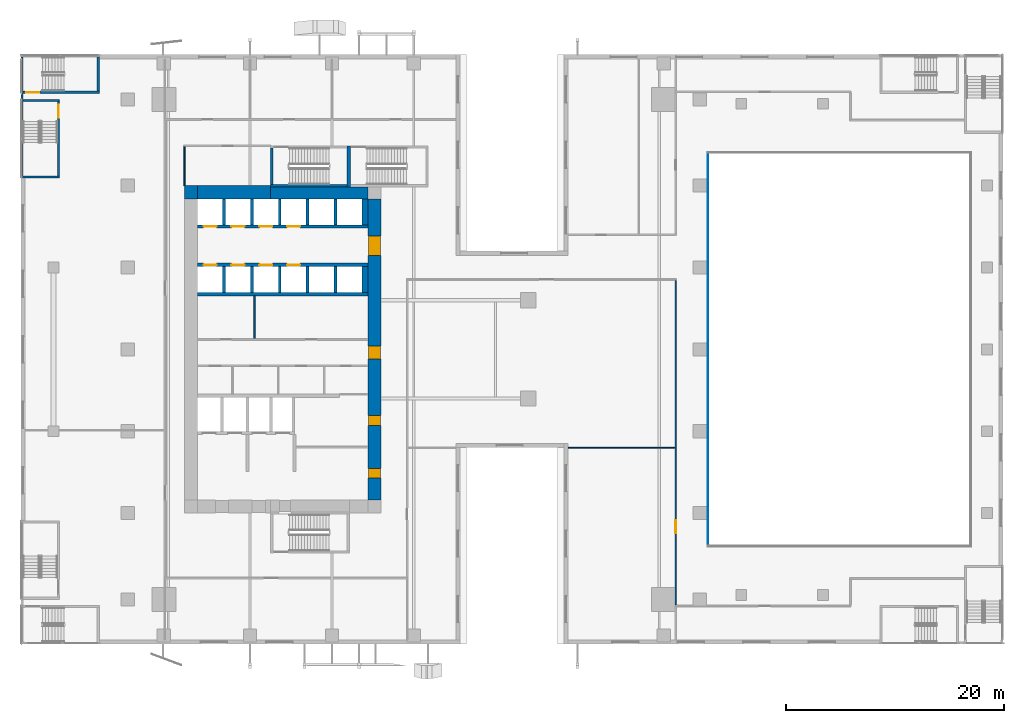
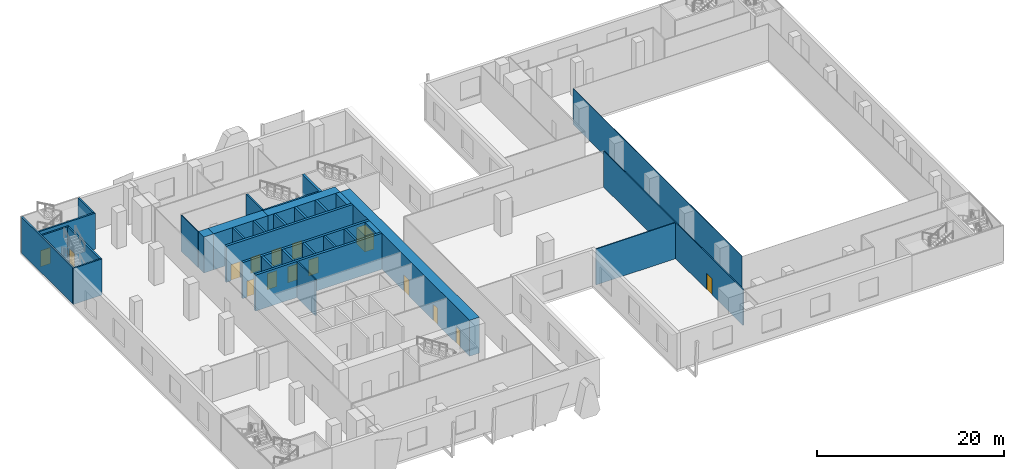
# One storey, part 12 of 22: 33 walls, 15 doors, 15 openings.
"""IFC4 building model written with IfcOpenShell, lengths in metres."""

from ifc_helpers import new_model, si_unit, direction, frame, frame_2d, origin, place, context, subcontext, project, spatial, rectangle, extrude, source, transform, mapped, material, layer, layer_set, type_object, element, fill, save


model = new_model("IFC4")

# Units and contexts
model_context = context("Model", 3, precision=1e-05, world=origin(), true_north=direction((0.0, 1.0)))
body_context = subcontext(model_context, "Body", "Model", "MODEL_VIEW")
ifc_project = project(units=[si_unit("LENGTHUNIT", "METRE"), si_unit("AREAUNIT", "SQUARE_METRE"), si_unit("VOLUMEUNIT", "CUBIC_METRE"), si_unit("PLANEANGLEUNIT", "RADIAN"), si_unit("MASSUNIT", "GRAM", prefix="KILO")], contexts=[model_context])

# Site, building, storey
site_placement = place(None, origin())
site = spatial("IfcSite", under=ifc_project, at=site_placement, CompositionType="ELEMENT")
building_placement = place(site_placement, origin())
building = spatial("IfcBuilding", under=site, at=building_placement, Name="Khomas Fold Tower", CompositionType="ELEMENT")
storey_placement = place(building_placement, frame((0.0, 0.0, 23.5)))
storey = spatial("IfcBuildingStorey", under=building, at=storey_placement, Name="L04", CompositionType="ELEMENT", Elevation=23.5)

# Walls
ifc_material_1 = material(Name="Concrete C70/85", Category="concrete")
ifc_layer_1 = layer(ifc_material_1, 1.199951171875)
ifc_layer_set_1 = layer_set([ifc_layer_1], Name="Concrete C70/85")
wall_type_1 = type_object("IfcWallType", Name="Core wall 1200", PredefinedType="SHEAR", material=ifc_layer_set_1)
shared_shape_1 = source(origin(), body_context, "Body", "SweptSolid", [
    extrude(rectangle(XDim=6.699951171875, YDim=1.199951171875, at=frame_2d((3.35009765625, 0.0))), origin(), (0.0, 0.0, 1.0), 4.699951171875),
])
wall_1_placement = place(storey_placement, frame((7.199951171875, 41.39990234375, 0.0), z_axis=(0.0, 0.0, 1.0), x_axis=(1.0, 0.0, 0.0)))
element("IfcWall", 1, at=wall_1_placement, inside=storey, type_object=wall_type_1, Name="Core wall CW-L-N-B2", PredefinedType="SHEAR", context=body_context, shape_type="MappedRepresentation", body=[
    mapped(shared_shape_1, transform((0.0, 0.0, 0.0))),
])
ifc_material_2 = material(Name="Concrete C70/85", Category="concrete")
ifc_layer_2 = layer(ifc_material_2, 1.10009765625)
ifc_layer_set_2 = layer_set([ifc_layer_2], Name="Concrete C70/85")
wall_type_2 = type_object("IfcWallType", Name="Core wall 1100", PredefinedType="SHEAR", material=ifc_layer_set_2)
shared_shape_2 = source(origin(), body_context, "Body", "SweptSolid", [
    extrude(rectangle(XDim=8.900146484375, YDim=1.10009765625, at=frame_2d((4.4501953125, 0.0))), origin(), (0.0, 0.0, 1.0), 4.699951171875),
])
wall_2_placement = place(storey_placement, frame((13.89990234375, 41.35009765625, 0.0), z_axis=(0.0, 0.0, 1.0), x_axis=(1.0, 0.0, 0.0)))
element("IfcWall", 2, at=wall_2_placement, inside=storey, type_object=wall_type_2, Name="Core wall CW-L-N-B2-1", PredefinedType="SHEAR", context=body_context, shape_type="MappedRepresentation", body=[
    mapped(shared_shape_2, transform((0.0, 0.0, 0.0))),
])
ifc_material_3 = material(Name="Concrete C70/85", Category="concrete")
ifc_layer_3 = layer(ifc_material_3, 1.199951171875)
ifc_layer_set_3 = layer_set([ifc_layer_3], Name="Concrete C70/85")
wall_type_3 = type_object("IfcWallType", Name="Core corner wall 1200", PredefinedType="SHEAR", material=ifc_layer_set_3)
shared_shape_3 = source(origin(), body_context, "Body", "SweptSolid", [
    extrude(rectangle(XDim=1.199951171875, YDim=1.199951171875, at=frame_2d((0.60009765625, 0.0))), origin(), (0.0, 0.0, 1.0), 4.699951171875),
])
wall_3_placement = place(storey_placement, frame((6.0, 41.39990234375, 0.0), z_axis=(0.0, 0.0, 1.0), x_axis=(1.0, 0.0, 0.0)))
element("IfcWall", 3, at=wall_3_placement, inside=storey, type_object=wall_type_3, Name="Core wall CW-L-NW-B2", PredefinedType="SHEAR", context=body_context, shape_type="MappedRepresentation", body=[
    mapped(shared_shape_3, transform((0.0, 0.0, 0.0))),
])

# Wall, openings, doors
shared_shape_4 = source(origin(), body_context, "Body", "SweptSolid", [
    extrude(rectangle(XDim=27.60009765625, YDim=1.199951171875, at=frame_2d((13.800048828125, 0.0))), origin(), (0.0, 0.0, 1.0), 4.699951171875),
])
wall_4_placement = place(storey_placement, frame((23.39990234375, 13.199951171875, 0.0), z_axis=(0.0, 0.0, 1.0), x_axis=(0.0, 1.0, 0.0)))
wall_4 = element("IfcWall", 4, at=wall_4_placement, inside=storey, type_object=wall_type_1, Name="Core wall CW-L-E-B2", PredefinedType="SHEAR", context=body_context, shape_type="MappedRepresentation", body=[
    mapped(shared_shape_4, transform((0.0, 0.0, 0.0))),
])
shared_shape_5 = source(origin(), body_context, "Body", "SweptSolid", [
    extrude(rectangle(XDim=1.800048828125, YDim=2.10009765625, at=frame_2d((0.89990234375, 1.050048828125))), frame((0.0, 0.60986328125, 0.0), z_axis=(0.0, -1.0, 0.0), x_axis=(1.0, 0.0, 0.0)), (0.0, 0.0, 1.0), 1.219970703125),
])
opening_1_placement = place(wall_4_placement, frame((22.39990234375, 0.0, 0.0)))
opening_1 = element("IfcOpeningElement", 5, at=opening_1_placement, cuts=wall_4, Name="Opening 0015", PredefinedType="OPENING", context=body_context, shape_type="MappedRepresentation", body=[
    mapped(shared_shape_5, transform((0.0, 0.0, 0.0))),
])
shared_shape_6 = source(origin(), body_context, "Body", "SweptSolid", [
    extrude(rectangle(XDim=1.199951171875, YDim=2.10009765625, at=frame_2d((0.60009765625, 1.050048828125))), frame((0.0, 0.60986328125, 0.0), z_axis=(0.0, -1.0, 0.0), x_axis=(1.0, 0.0, 0.0)), (0.0, 0.0, 1.0), 1.219970703125),
])
opening_2_placement = place(wall_4_placement, frame((12.89990234375, 0.0, 0.0)))
opening_2 = element("IfcOpeningElement", 6, at=opening_2_placement, cuts=wall_4, Name="Opening 0001", PredefinedType="OPENING", context=body_context, shape_type="MappedRepresentation", body=[
    mapped(shared_shape_6, transform((0.0, 0.0, 0.0))),
])
shared_shape_7 = source(origin(), body_context, "Body", "SweptSolid", [
    extrude(rectangle(XDim=0.89990234375, YDim=2.10009765625, at=frame_2d((0.449951171875, 1.050048828125))), frame((0.0, 0.60986328125, 0.0), z_axis=(0.0, -1.0, 0.0), x_axis=(1.0, 0.0, 0.0)), (0.0, 0.0, 1.0), 1.219970703125),
])
opening_3_placement = place(wall_4_placement, frame((2.0, 0.0, 0.0)))
opening_3 = element("IfcOpeningElement", 7, at=opening_3_placement, cuts=wall_4, Name="Opening 0003", PredefinedType="OPENING", context=body_context, shape_type="MappedRepresentation", body=[
    mapped(shared_shape_7, transform((0.0, 0.0, 0.0))),
])
opening_4_placement = place(wall_4_placement, frame((6.85009765625, 0.0, 0.0)))
opening_4 = element("IfcOpeningElement", 8, at=opening_4_placement, cuts=wall_4, Name="Opening 0008", PredefinedType="OPENING", context=body_context, shape_type="MappedRepresentation", body=[
    mapped(shared_shape_7, transform((0.0, 0.0, 0.0))),
])
ifc_material_4 = material(Name="Timber door leaf", Category="wood")
door_type_1 = type_object("IfcDoorType", Name="Door 1200x2100 right-hand", OperationType="SINGLE_SWING_RIGHT", PredefinedType="DOOR", material=ifc_material_4)
shared_shape_8 = source(origin(), body_context, "Body", "SweptSolid", [
    extrude(rectangle(XDim=1.199951171875, YDim=2.10009765625, at=frame_2d((0.60009765625, 1.050048828125))), frame((0.0, 0.5498046875, 0.0), z_axis=(0.0, -1.0, 0.0), x_axis=(1.0, 0.0, 0.0)), (0.0, 0.0, 1.0), 1.099853515625),
])
door_1_placement = place(opening_2_placement, origin())
door_1 = element("IfcDoor", 9, at=door_1_placement, inside=storey, type_object=door_type_1, Name="Door", OperationType="SINGLE_SWING_RIGHT", OverallHeight=2.10009765625, OverallWidth=1.199951171875, PredefinedType="DOOR", context=body_context, shape_type="MappedRepresentation", body=[
    mapped(shared_shape_8, transform((0.0, 0.0, 0.0))),
])
fill(opening_2, door_1)
ifc_material_5 = material(Name="Steel door leaf", Category="steel")
door_type_2 = type_object("IfcDoorType", Name="Plant room door 900x2100 right-hand", OperationType="SINGLE_SWING_RIGHT", PredefinedType="DOOR", material=ifc_material_5)
shared_shape_9 = source(origin(), body_context, "Body", "SweptSolid", [
    extrude(rectangle(XDim=0.89990234375, YDim=2.10009765625, at=frame_2d((0.449951171875, 1.050048828125))), frame((0.0, 0.5498046875, 0.0), z_axis=(0.0, -1.0, 0.0), x_axis=(1.0, 0.0, 0.0)), (0.0, 0.0, 1.0), 1.099853515625),
])
door_2_placement = place(opening_3_placement, origin())
door_2 = element("IfcDoor", 10, at=door_2_placement, inside=storey, type_object=door_type_2, Name="Plant room door", OperationType="SINGLE_SWING_RIGHT", OverallHeight=2.10009765625, OverallWidth=0.89990234375, PredefinedType="DOOR", context=body_context, shape_type="MappedRepresentation", body=[
    mapped(shared_shape_9, transform((0.0, 0.0, 0.0))),
])
fill(opening_3, door_2)
ifc_material_6 = material(Name="Timber door leaf", Category="wood")
door_type_3 = type_object("IfcDoorType", Name="Door 900x2100 right-hand", OperationType="SINGLE_SWING_RIGHT", PredefinedType="DOOR", material=ifc_material_6)
door_3_placement = place(opening_4_placement, origin())
door_3 = element("IfcDoor", 11, at=door_3_placement, inside=storey, type_object=door_type_3, Name="Door", OperationType="SINGLE_SWING_RIGHT", OverallHeight=2.10009765625, OverallWidth=0.89990234375, PredefinedType="DOOR", context=body_context, shape_type="MappedRepresentation", body=[
    mapped(shared_shape_9, transform((0.0, 0.0, 0.0))),
])
fill(opening_4, door_3)
ifc_material_7 = material(Name="Steel door leaf", Category="steel")
door_type_4 = type_object("IfcDoorType", Name="Lobby door 1800x2100", OperationType="DOUBLE_DOOR_SINGLE_SWING", PredefinedType="DOOR", material=ifc_material_7)
shared_shape_10 = source(origin(), body_context, "Body", "SweptSolid", [
    extrude(rectangle(XDim=1.800048828125, YDim=2.10009765625, at=frame_2d((0.89990234375, 1.050048828125))), frame((0.0, 0.5498046875, 0.0), z_axis=(0.0, -1.0, 0.0), x_axis=(1.0, 0.0, 0.0)), (0.0, 0.0, 1.0), 1.099853515625),
])
door_4_placement = place(opening_1_placement, origin())
door_4 = element("IfcDoor", 12, at=door_4_placement, inside=storey, type_object=door_type_4, Name="Lobby door", OperationType="DOUBLE_DOOR_SINGLE_SWING", OverallHeight=2.10009765625, OverallWidth=1.800048828125, PredefinedType="DOOR", context=body_context, shape_type="MappedRepresentation", body=[
    mapped(shared_shape_10, transform((0.0, 0.0, 0.0))),
])
fill(opening_1, door_4)

# Wall
ifc_material_8 = material(Name="Concrete C50/60", Category="concrete")
ifc_layer_4 = layer(ifc_material_8, 0.199951171875)
ifc_layer_set_4 = layer_set([ifc_layer_4], Name="Concrete C50/60")
wall_type_4 = type_object("IfcWallType", Name="Stair wall 200", PredefinedType="SHEAR", material=ifc_layer_set_4)
shared_shape_11 = source(origin(), body_context, "Body", "SweptSolid", [
    extrude(rectangle(XDim=7.0, YDim=0.199951171875, at=frame_2d((3.5, 0.0))), origin(), (0.0, 0.0, 1.0), 4.699951171875),
])
wall_5_placement = place(storey_placement, frame((13.89990234375, 42.0, 0.0), z_axis=(0.0, 0.0, 1.0), x_axis=(1.0, 0.0, 0.0)))
element("IfcWall", 13, at=wall_5_placement, inside=storey, type_object=wall_type_4, Name="Stair wall SW-ST1-S", PredefinedType="SHEAR", context=body_context, shape_type="MappedRepresentation", body=[
    mapped(shared_shape_11, transform((0.0, 0.0, 0.0))),
])

# Wall, opening, door
ifc_material_9 = material(Name="Concrete C30/37", Category="concrete")
ifc_layer_5 = layer(ifc_material_9, 0.199951171875)
ifc_layer_set_5 = layer_set([ifc_layer_5], Name="Concrete C30/37")
wall_type_5 = type_object("IfcWallType", Name="Stair wall PW5 200", PredefinedType="PARTITIONING", material=ifc_layer_set_5)
wall_6_placement = place(storey_placement, frame((-8.800048828125, 50.550048828125, 0.0), z_axis=(0.0, 0.0, 1.0), x_axis=(1.0, 0.0, 0.0)))
wall_6 = element("IfcWall", 14, at=wall_6_placement, inside=storey, type_object=wall_type_5, Name="Stair wall", PredefinedType="PARTITIONING", context=body_context, shape_type="MappedRepresentation", body=[
    mapped(shared_shape_11, transform((0.0, 0.0, 0.0))),
])
shared_shape_12 = source(origin(), body_context, "Body", "SweptSolid", [
    extrude(rectangle(XDim=1.199951171875, YDim=2.10009765625, at=frame_2d((0.60009765625, 1.050048828125))), frame((0.0, 0.10986328125, 0.0), z_axis=(0.0, -1.0, 0.0), x_axis=(1.0, 0.0, 0.0)), (0.0, 0.0, 1.0), 0.219970703125),
])
opening_5_placement = place(wall_6_placement, frame((0.300048828125, 0.0, 0.0)))
opening_5 = element("IfcOpeningElement", 15, at=opening_5_placement, cuts=wall_6, Name="Opening 0018", PredefinedType="OPENING", context=body_context, shape_type="MappedRepresentation", body=[
    mapped(shared_shape_12, transform((0.0, 0.0, 0.0))),
])
ifc_material_10 = material(Name="Steel door leaf", Category="steel")
door_type_5 = type_object("IfcDoorType", Name="Stair door 1200x2100 right-hand", OperationType="SINGLE_SWING_RIGHT", PredefinedType="DOOR", material=ifc_material_10)
shared_shape_13 = source(origin(), body_context, "Body", "SweptSolid", [
    extrude(rectangle(XDim=1.199951171875, YDim=2.10009765625, at=frame_2d((0.60009765625, 1.050048828125))), frame((0.0, 0.02490234375, 0.0), z_axis=(0.0, -1.0, 0.0), x_axis=(1.0, 0.0, 0.0)), (0.0, 0.0, 1.0), 0.050048828125),
])
door_5_placement = place(opening_5_placement, origin())
door_5 = element("IfcDoor", 16, at=door_5_placement, inside=storey, type_object=door_type_5, Name="Stair door", OperationType="SINGLE_SWING_RIGHT", OverallHeight=2.10009765625, OverallWidth=1.199951171875, PredefinedType="DOOR", context=body_context, shape_type="MappedRepresentation", body=[
    mapped(shared_shape_13, transform((0.0, 0.0, 0.0))),
])
fill(opening_5, door_5)

# Walls
ifc_material_11 = material(Name="Concrete C50/60", Category="concrete")
ifc_layer_6 = layer(ifc_material_11, 0.300048828125)
ifc_layer_set_6 = layer_set([ifc_layer_6], Name="Concrete C50/60")
wall_type_6 = type_object("IfcWallType", Name="Stair wall 300", PredefinedType="SHEAR", material=ifc_layer_set_6)
shared_shape_14 = source(origin(), body_context, "Body", "SweptSolid", [
    extrude(rectangle(XDim=3.75, YDim=0.300048828125, at=frame_2d((1.875, 0.0))), origin(), (0.0, 0.0, 1.0), 4.699951171875),
])
wall_7_placement = place(storey_placement, frame((21.050048828125, 41.89990234375, 0.0), z_axis=(0.0, 0.0, 1.0), x_axis=(0.0, 1.0, 0.0)))
element("IfcWall", 17, at=wall_7_placement, inside=storey, type_object=wall_type_6, Name="Stair wall SW-ST1-E", PredefinedType="SHEAR", context=body_context, shape_type="MappedRepresentation", body=[
    mapped(shared_shape_14, transform((0.0, 0.0, 0.0))),
])
shared_shape_15 = source(origin(), body_context, "Body", "SweptSolid", [
    extrude(rectangle(XDim=3.349853515625, YDim=0.199951171875, at=frame_2d((1.6748046875, 0.0))), origin(), (0.0, 0.0, 1.0), 4.699951171875),
])
wall_8_placement = place(storey_placement, frame((14.0, 42.10009765625, 0.0), z_axis=(0.0, 0.0, 1.0), x_axis=(0.0, 1.0, 0.0)))
element("IfcWall", 18, at=wall_8_placement, inside=storey, type_object=wall_type_4, Name="Stair wall SW-ST1-W", PredefinedType="SHEAR", context=body_context, shape_type="MappedRepresentation", body=[
    mapped(shared_shape_15, transform((0.0, 0.0, 0.0))),
])
ifc_material_12 = material(Name="Concrete C50/60", Category="concrete")
ifc_layer_7 = layer(ifc_material_12, 0.300048828125)
ifc_layer_set_7 = layer_set([ifc_layer_7], Name="Concrete C50/60")
wall_type_7 = type_object("IfcWallType", Name="Shaft wall 300", PredefinedType="STANDARD", material=ifc_layer_set_7)
shared_shape_16 = source(origin(), body_context, "Body", "SweptSolid", [
    extrude(rectangle(XDim=15.60009765625, YDim=0.300048828125, at=frame_2d((7.800048828125, 0.0))), origin(), (0.0, 0.0, 1.0), 4.699951171875),
])
wall_9_placement = place(storey_placement, frame((7.199951171875, 32.050048828125, 0.0), z_axis=(0.0, 0.0, 1.0), x_axis=(1.0, 0.0, 0.0)))
element("IfcWall", 19, at=wall_9_placement, inside=storey, type_object=wall_type_7, Name="Core wall SW-HRN-B", PredefinedType="STANDARD", context=body_context, shape_type="MappedRepresentation", body=[
    mapped(shared_shape_16, transform((0.0, 0.0, 0.0))),
])

# Wall, openings, doors
wall_10_placement = place(storey_placement, frame((7.199951171875, 38.25, 0.0), z_axis=(0.0, 0.0, 1.0), x_axis=(1.0, 0.0, 0.0)))
wall_10 = element("IfcWall", 20, at=wall_10_placement, inside=storey, type_object=wall_type_7, Name="Core wall SW-LRN-F", PredefinedType="STANDARD", context=body_context, shape_type="MappedRepresentation", body=[
    mapped(shared_shape_16, transform((0.0, 0.0, 0.0))),
])
shared_shape_17 = source(origin(), body_context, "Body", "SweptSolid", [
    extrude(rectangle(XDim=1.199951171875, YDim=2.10009765625, at=frame_2d((0.60009765625, 1.050048828125))), frame((0.0, 0.159912109375, 0.0), z_axis=(0.0, -1.0, 0.0), x_axis=(1.0, 0.0, 0.0)), (0.0, 0.0, 1.0), 0.320068359375),
])
opening_6_placement = place(wall_10_placement, frame((0.550048828125, 0.0, 0.0)))
opening_6 = element("IfcOpeningElement", 21, at=opening_6_placement, cuts=wall_10, Name="Opening LD-LR5", PredefinedType="OPENING", context=body_context, shape_type="MappedRepresentation", body=[
    mapped(shared_shape_17, transform((0.0, 0.0, 0.0))),
])
opening_7_placement = place(wall_10_placement, frame((3.10009765625, 0.0, 0.0)))
opening_7 = element("IfcOpeningElement", 22, at=opening_7_placement, cuts=wall_10, Name="Opening LD-LR6", PredefinedType="OPENING", context=body_context, shape_type="MappedRepresentation", body=[
    mapped(shared_shape_17, transform((0.0, 0.0, 0.0))),
])
opening_8_placement = place(wall_10_placement, frame((5.64990234375, 0.0, 0.0)))
opening_8 = element("IfcOpeningElement", 23, at=opening_8_placement, cuts=wall_10, Name="Opening LD-LR7", PredefinedType="OPENING", context=body_context, shape_type="MappedRepresentation", body=[
    mapped(shared_shape_17, transform((0.0, 0.0, 0.0))),
])
opening_9_placement = place(wall_10_placement, frame((8.199951171875, 0.0, 0.0)))
opening_9 = element("IfcOpeningElement", 24, at=opening_9_placement, cuts=wall_10, Name="Opening LD-LR8", PredefinedType="OPENING", context=body_context, shape_type="MappedRepresentation", body=[
    mapped(shared_shape_17, transform((0.0, 0.0, 0.0))),
])
ifc_material_13 = material(Name="Steel door leaf", Category="steel")
door_type_6 = type_object("IfcDoorType", Name="Landing door 1200x2100", OperationType="DOUBLE_DOOR_SLIDING", PredefinedType="DOOR", material=ifc_material_13)
door_6_placement = place(opening_6_placement, origin())
door_6 = element("IfcDoor", 25, at=door_6_placement, inside=storey, type_object=door_type_6, Name="Lift landing door", OperationType="DOUBLE_DOOR_SLIDING", OverallHeight=2.10009765625, OverallWidth=1.199951171875, PredefinedType="DOOR", context=body_context, shape_type="MappedRepresentation", body=[
    mapped(shared_shape_13, transform((0.0, 0.0, 0.0))),
])
fill(opening_6, door_6)
door_7_placement = place(opening_7_placement, origin())
door_7 = element("IfcDoor", 26, at=door_7_placement, inside=storey, type_object=door_type_6, Name="Lift landing door", OperationType="DOUBLE_DOOR_SLIDING", OverallHeight=2.10009765625, OverallWidth=1.199951171875, PredefinedType="DOOR", context=body_context, shape_type="MappedRepresentation", body=[
    mapped(shared_shape_13, transform((0.0, 0.0, 0.0))),
])
fill(opening_7, door_7)
door_8_placement = place(opening_8_placement, origin())
door_8 = element("IfcDoor", 27, at=door_8_placement, inside=storey, type_object=door_type_6, Name="Lift landing door", OperationType="DOUBLE_DOOR_SLIDING", OverallHeight=2.10009765625, OverallWidth=1.199951171875, PredefinedType="DOOR", context=body_context, shape_type="MappedRepresentation", body=[
    mapped(shared_shape_13, transform((0.0, 0.0, 0.0))),
])
fill(opening_8, door_8)
door_9_placement = place(opening_9_placement, origin())
door_9 = element("IfcDoor", 28, at=door_9_placement, inside=storey, type_object=door_type_6, Name="Lift landing door", OperationType="DOUBLE_DOOR_SLIDING", OverallHeight=2.10009765625, OverallWidth=1.199951171875, PredefinedType="DOOR", context=body_context, shape_type="MappedRepresentation", body=[
    mapped(shared_shape_13, transform((0.0, 0.0, 0.0))),
])
fill(opening_9, door_9)

wall_11_placement = place(storey_placement, frame((7.199951171875, 34.75, 0.0), z_axis=(0.0, 0.0, 1.0), x_axis=(1.0, 0.0, 0.0)))
wall_11 = element("IfcWall", 29, at=wall_11_placement, inside=storey, type_object=wall_type_7, Name="Core wall SW-LRS-F", PredefinedType="STANDARD", context=body_context, shape_type="MappedRepresentation", body=[
    mapped(shared_shape_16, transform((0.0, 0.0, 0.0))),
])
opening_10_placement = place(wall_11_placement, frame((0.550048828125, 0.0, 0.0)))
opening_10 = element("IfcOpeningElement", 30, at=opening_10_placement, cuts=wall_11, Name="Opening LD-LR1", PredefinedType="OPENING", context=body_context, shape_type="MappedRepresentation", body=[
    mapped(shared_shape_17, transform((0.0, 0.0, 0.0))),
])
opening_11_placement = place(wall_11_placement, frame((3.10009765625, 0.0, 0.0)))
opening_11 = element("IfcOpeningElement", 31, at=opening_11_placement, cuts=wall_11, Name="Opening LD-LR2", PredefinedType="OPENING", context=body_context, shape_type="MappedRepresentation", body=[
    mapped(shared_shape_17, transform((0.0, 0.0, 0.0))),
])
opening_12_placement = place(wall_11_placement, frame((5.64990234375, 0.0, 0.0)))
opening_12 = element("IfcOpeningElement", 32, at=opening_12_placement, cuts=wall_11, Name="Opening LD-LR3", PredefinedType="OPENING", context=body_context, shape_type="MappedRepresentation", body=[
    mapped(shared_shape_17, transform((0.0, 0.0, 0.0))),
])
opening_13_placement = place(wall_11_placement, frame((8.199951171875, 0.0, 0.0)))
opening_13 = element("IfcOpeningElement", 33, at=opening_13_placement, cuts=wall_11, Name="Opening LD-LR4", PredefinedType="OPENING", context=body_context, shape_type="MappedRepresentation", body=[
    mapped(shared_shape_17, transform((0.0, 0.0, 0.0))),
])
door_10_placement = place(opening_10_placement, origin())
door_10 = element("IfcDoor", 34, at=door_10_placement, inside=storey, type_object=door_type_6, Name="Lift landing door", OperationType="DOUBLE_DOOR_SLIDING", OverallHeight=2.10009765625, OverallWidth=1.199951171875, PredefinedType="DOOR", context=body_context, shape_type="MappedRepresentation", body=[
    mapped(shared_shape_13, transform((0.0, 0.0, 0.0))),
])
fill(opening_10, door_10)
door_11_placement = place(opening_11_placement, origin())
door_11 = element("IfcDoor", 35, at=door_11_placement, inside=storey, type_object=door_type_6, Name="Lift landing door", OperationType="DOUBLE_DOOR_SLIDING", OverallHeight=2.10009765625, OverallWidth=1.199951171875, PredefinedType="DOOR", context=body_context, shape_type="MappedRepresentation", body=[
    mapped(shared_shape_13, transform((0.0, 0.0, 0.0))),
])
fill(opening_11, door_11)
door_12_placement = place(opening_12_placement, origin())
door_12 = element("IfcDoor", 36, at=door_12_placement, inside=storey, type_object=door_type_6, Name="Lift landing door", OperationType="DOUBLE_DOOR_SLIDING", OverallHeight=2.10009765625, OverallWidth=1.199951171875, PredefinedType="DOOR", context=body_context, shape_type="MappedRepresentation", body=[
    mapped(shared_shape_13, transform((0.0, 0.0, 0.0))),
])
fill(opening_12, door_12)
door_13_placement = place(opening_13_placement, origin())
door_13 = element("IfcDoor", 37, at=door_13_placement, inside=storey, type_object=door_type_6, Name="Lift landing door", OperationType="DOUBLE_DOOR_SLIDING", OverallHeight=2.10009765625, OverallWidth=1.199951171875, PredefinedType="DOOR", context=body_context, shape_type="MappedRepresentation", body=[
    mapped(shared_shape_13, transform((0.0, 0.0, 0.0))),
])
fill(opening_13, door_13)

# Walls
ifc_material_14 = material(Name="Concrete C50/60", Category="concrete")
ifc_layer_8 = layer(ifc_material_14, 0.25)
ifc_layer_set_8 = layer_set([ifc_layer_8], Name="Concrete C50/60")
wall_type_8 = type_object("IfcWallType", Name="Shaft wall 250", PredefinedType="STANDARD", material=ifc_layer_set_8)
shared_shape_18 = source(origin(), body_context, "Body", "SweptSolid", [
    extrude(rectangle(XDim=2.400146484375, YDim=0.25, at=frame_2d((1.2001953125, 0.0))), origin(), (0.0, 0.0, 1.0), 4.699951171875),
])
for number, where, z_axis, x_axis, name in (
    (38, (9.625, 38.39990234375, 0.0), (0.0, 0.0, 1.0), (0.0, 1.0, 0.0), "Core wall SW-LRN-P1"),
    (39, (12.175048828125, 38.39990234375, 0.0), (0.0, 0.0, 1.0), (0.0, 1.0, 0.0), "Core wall SW-LRN-P2"),
    (40, (14.72509765625, 38.39990234375, 0.0), (0.0, 0.0, 1.0), (0.0, 1.0, 0.0), "Core wall SW-LRN-P3"),
    (41, (17.27490234375, 38.39990234375, 0.0), (0.0, 0.0, 1.0), (0.0, 1.0, 0.0), "Core wall SW-LRN-P4"),
    (42, (19.824951171875, 38.39990234375, 0.0), (0.0, 0.0, 1.0), (0.0, 1.0, 0.0), "Core wall SW-LRN-P5"),
    (43, (9.625, 32.199951171875, 0.0), (0.0, 0.0, 1.0), (0.0, 1.0, 0.0), "Core wall SW-LRS-P1"),
    (44, (12.175048828125, 32.199951171875, 0.0), (0.0, 0.0, 1.0), (0.0, 1.0, 0.0), "Core wall SW-LRS-P2"),
    (45, (14.72509765625, 32.199951171875, 0.0), (0.0, 0.0, 1.0), (0.0, 1.0, 0.0), "Core wall SW-LRS-P3"),
    (46, (17.27490234375, 32.199951171875, 0.0), (0.0, 0.0, 1.0), (0.0, 1.0, 0.0), "Core wall SW-LRS-P4"),
    (47, (19.824951171875, 32.199951171875, 0.0), (0.0, 0.0, 1.0), (0.0, 1.0, 0.0), "Core wall SW-LRS-P5"),
):
    element("IfcWall", number, at=place(storey_placement, frame(where, z_axis=z_axis, x_axis=x_axis)), inside=storey, type_object=wall_type_8, Name=name, PredefinedType="STANDARD", context=body_context, shape_type="MappedRepresentation", body=[
        mapped(shared_shape_18, transform((0.0, 0.0, 0.0))),
    ])
ifc_material_15 = material(Name="Concrete C50/60", Category="concrete")
ifc_layer_9 = layer(ifc_material_15, 0.550048828125)
ifc_layer_set_9 = layer_set([ifc_layer_9], Name="Concrete C50/60")
wall_type_9 = type_object("IfcWallType", Name="Shaft wall 550", PredefinedType="STANDARD", material=ifc_layer_set_9)
shared_shape_19 = source(origin(), body_context, "Body", "SweptSolid", [
    extrude(rectangle(XDim=2.400146484375, YDim=0.550048828125, at=frame_2d((1.2001953125, 0.0))), origin(), (0.0, 0.0, 1.0), 4.699951171875),
])
for number, where, z_axis, x_axis, name in (
    (48, (22.52490234375, 38.39990234375, 0.0), (0.0, 0.0, 1.0), (0.0, 1.0, 0.0), "Core wall SW-LRN-PE"),
    (49, (22.52490234375, 32.199951171875, 0.0), (0.0, 0.0, 1.0), (0.0, 1.0, 0.0), "Core wall SW-LRS-PE"),
):
    element("IfcWall", number, at=place(storey_placement, frame(where, z_axis=z_axis, x_axis=x_axis)), inside=storey, type_object=wall_type_9, Name=name, PredefinedType="STANDARD", context=body_context, shape_type="MappedRepresentation", body=[
        mapped(shared_shape_19, transform((0.0, 0.0, 0.0))),
    ])
ifc_material_16 = material(Name="Fire-resistant glazing in Steel S355 frame", Category="steel")
ifc_layer_10 = layer(ifc_material_16, 0.06005859375)
ifc_layer_set_10 = layer_set([ifc_layer_10], Name="Fire-resistant glazing in Steel S355 frame")
wall_type_10 = type_object("IfcWallType", Name="Atrium fire screen 60", PredefinedType="STANDARD", material=ifc_layer_set_10)
shared_shape_20 = source(origin(), body_context, "Body", "SweptSolid", [
    extrude(rectangle(XDim=36.06005859375, YDim=0.06005859375, at=frame_2d((18.030029296875, 0.0))), origin(), (0.0, 0.0, 1.0), 4.699951171875),
])
wall_12_placement = place(storey_placement, frame((53.969970703125, 45.06005859375, 0.0), z_axis=(0.0, 0.0, 1.0), x_axis=(0.0, -1.0, 0.0)))
element("IfcWall", 50, at=wall_12_placement, inside=storey, type_object=wall_type_10, Name="Atrium screen", PredefinedType="SOLIDWALL", context=body_context, shape_type="MappedRepresentation", body=[
    mapped(shared_shape_20, transform((0.0, 0.0, 0.0))),
])
shared_shape_21 = source(origin(), body_context, "Body", "SweptSolid", [
    extrude(rectangle(XDim=10.900146484375, YDim=0.199951171875, at=frame_2d((5.4501953125, 0.0))), origin(), (0.0, 0.0, 1.0), 4.699951171875),
])
wall_13_placement = place(storey_placement, frame((-8.89990234375, 42.89990234375, 0.0), z_axis=(0.0, 0.0, 1.0), x_axis=(0.0, 1.0, 0.0)))
element("IfcWall", 51, at=wall_13_placement, inside=storey, type_object=wall_type_5, Name="Stair wall", PredefinedType="PARTITIONING", context=body_context, shape_type="MappedRepresentation", body=[
    mapped(shared_shape_21, transform((0.0, 0.0, 0.0))),
])
shared_shape_22 = source(origin(), body_context, "Body", "SweptSolid", [
    extrude(rectangle(XDim=3.150146484375, YDim=0.199951171875, at=frame_2d((1.5751953125, 0.0))), origin(), (0.0, 0.0, 1.0), 4.699951171875),
])
wall_14_placement = place(storey_placement, frame((-1.89990234375, 50.64990234375, 0.0), z_axis=(0.0, 0.0, 1.0), x_axis=(0.0, 1.0, 0.0)))
element("IfcWall", 52, at=wall_14_placement, inside=storey, type_object=wall_type_5, Name="Stair wall", PredefinedType="PARTITIONING", context=body_context, shape_type="MappedRepresentation", body=[
    mapped(shared_shape_22, transform((0.0, 0.0, 0.0))),
])
shared_shape_23 = source(origin(), body_context, "Body", "SweptSolid", [
    extrude(rectangle(XDim=3.35009765625, YDim=0.199951171875, at=frame_2d((1.675048828125, 0.0))), origin(), (0.0, 0.0, 1.0), 4.699951171875),
])
wall_15_placement = place(storey_placement, frame((-8.800048828125, 49.800048828125, 0.0), z_axis=(0.0, 0.0, 1.0), x_axis=(1.0, 0.0, 0.0)))
element("IfcWall", 53, at=wall_15_placement, inside=storey, type_object=wall_type_5, Name="Stair wall", PredefinedType="PARTITIONING", context=body_context, shape_type="MappedRepresentation", body=[
    mapped(shared_shape_23, transform((0.0, 0.0, 0.0))),
])
shared_shape_24 = source(origin(), body_context, "Body", "SweptSolid", [
    extrude(rectangle(XDim=3.550048828125, YDim=0.199951171875, at=frame_2d((1.77490234375, 0.0))), origin(), (0.0, 0.0, 1.0), 4.699951171875),
])
wall_16_placement = place(storey_placement, frame((-9.0, 42.800048828125, 0.0), z_axis=(0.0, 0.0, 1.0), x_axis=(1.0, 0.0, 0.0)))
element("IfcWall", 54, at=wall_16_placement, inside=storey, type_object=wall_type_5, Name="Stair wall", PredefinedType="PARTITIONING", context=body_context, shape_type="MappedRepresentation", body=[
    mapped(shared_shape_24, transform((0.0, 0.0, 0.0))),
])

# Wall, opening, door
shared_shape_25 = source(origin(), body_context, "Body", "SweptSolid", [
    extrude(rectangle(XDim=6.800048828125, YDim=0.199951171875, at=frame_2d((3.39990234375, 0.0))), origin(), (0.0, 0.0, 1.0), 4.699951171875),
])
wall_17_placement = place(storey_placement, frame((-5.550048828125, 42.89990234375, 0.0), z_axis=(0.0, 0.0, 1.0), x_axis=(0.0, 1.0, 0.0)))
wall_17 = element("IfcWall", 55, at=wall_17_placement, inside=storey, type_object=wall_type_5, Name="Stair wall", PredefinedType="PARTITIONING", context=body_context, shape_type="MappedRepresentation", body=[
    mapped(shared_shape_25, transform((0.0, 0.0, 0.0))),
])
opening_14_placement = place(wall_17_placement, frame((5.300048828125, 0.0, 0.0)))
opening_14 = element("IfcOpeningElement", 56, at=opening_14_placement, cuts=wall_17, Name="Opening 0017", PredefinedType="OPENING", context=body_context, shape_type="MappedRepresentation", body=[
    mapped(shared_shape_12, transform((0.0, 0.0, 0.0))),
])
ifc_material_17 = material(Name="Steel door leaf", Category="steel")
door_type_7 = type_object("IfcDoorType", Name="Stair door 1200x2100 left-hand", OperationType="SINGLE_SWING_LEFT", PredefinedType="DOOR", material=ifc_material_17)
door_14_placement = place(opening_14_placement, origin())
door_14 = element("IfcDoor", 57, at=door_14_placement, inside=storey, type_object=door_type_7, Name="Stair door", OperationType="SINGLE_SWING_LEFT", OverallHeight=2.10009765625, OverallWidth=1.199951171875, PredefinedType="DOOR", context=body_context, shape_type="MappedRepresentation", body=[
    mapped(shared_shape_13, transform((0.0, 0.0, 0.0))),
])
fill(opening_14, door_14)

ifc_material_18 = material(Name="Plasterboard partition")
ifc_layer_11 = layer(ifc_material_18, 0.125)
ifc_layer_set_11 = layer_set([ifc_layer_11], Name="Plasterboard partition")
wall_type_11 = type_object("IfcWallType", Name="Partition PW2 125", PredefinedType="PARTITIONING", material=ifc_layer_set_11)
shared_shape_26 = source(origin(), body_context, "Body", "SweptSolid", [
    extrude(rectangle(XDim=29.699951171875, YDim=0.125, at=frame_2d((14.85009765625, 0.0))), origin(), (0.0, 0.0, 1.0), 4.699951171875),
])
wall_18_placement = place(storey_placement, frame((51.0, 3.60009765625, 0.0), z_axis=(0.0, 0.0, 1.0), x_axis=(0.0, 1.0, 0.0)))
wall_18 = element("IfcWall", 58, at=wall_18_placement, inside=storey, type_object=wall_type_11, Name="Partition", PredefinedType="PARTITIONING", context=body_context, shape_type="MappedRepresentation", body=[
    mapped(shared_shape_26, transform((0.0, 0.0, 0.0))),
])
shared_shape_27 = source(origin(), body_context, "Body", "SweptSolid", [
    extrude(rectangle(XDim=1.199951171875, YDim=2.10009765625, at=frame_2d((0.60009765625, 1.050048828125))), frame((0.0, 0.072509765625, 0.0), z_axis=(0.0, -1.0, 0.0), x_axis=(1.0, 0.0, 0.0)), (0.0, 0.0, 1.0), 0.14501953125),
])
opening_15_placement = place(wall_18_placement, frame((6.550048828125, 0.0, 0.0)))
opening_15 = element("IfcOpeningElement", 59, at=opening_15_placement, cuts=wall_18, Name="Opening 0001", PredefinedType="OPENING", context=body_context, shape_type="MappedRepresentation", body=[
    mapped(shared_shape_27, transform((0.0, 0.0, 0.0))),
])
door_15_placement = place(opening_15_placement, origin())
door_15 = element("IfcDoor", 60, at=door_15_placement, inside=storey, type_object=door_type_1, Name="Door", OperationType="SINGLE_SWING_RIGHT", OverallHeight=2.10009765625, OverallWidth=1.199951171875, PredefinedType="DOOR", context=body_context, shape_type="MappedRepresentation", body=[
    mapped(shared_shape_13, transform((0.0, 0.0, 0.0))),
])
fill(opening_15, door_15)

# Walls
shared_shape_28 = source(origin(), body_context, "Body", "SweptSolid", [
    extrude(rectangle(XDim=3.550048828125, YDim=0.125, at=frame_2d((1.77490234375, 0.0))), origin(), (0.0, 0.0, 1.0), 4.699951171875),
])
wall_19_placement = place(storey_placement, frame((6.0, 42.0, 0.0), z_axis=(0.0, 0.0, 1.0), x_axis=(0.0, 1.0, 0.0)))
element("IfcWall", 61, at=wall_19_placement, inside=storey, type_object=wall_type_11, Name="Partition", PredefinedType="PARTITIONING", context=body_context, shape_type="MappedRepresentation", body=[
    mapped(shared_shape_28, transform((0.0, 0.0, 0.0))),
])
ifc_material_19 = material(Name="Plasterboard partition")
ifc_layer_12 = layer(ifc_material_19, 0.10009765625)
ifc_layer_set_12 = layer_set([ifc_layer_12], Name="Plasterboard partition")
wall_type_12 = type_object("IfcWallType", Name="Partition PW1 100", PredefinedType="PARTITIONING", material=ifc_layer_set_12)
shared_shape_29 = source(origin(), body_context, "Body", "SweptSolid", [
    extrude(rectangle(XDim=9.75, YDim=0.10009765625, at=frame_2d((4.875, 0.0))), origin(), (0.0, 0.0, 1.0), 4.699951171875),
])
wall_20_placement = place(storey_placement, frame((41.14990234375, 18.0, 0.0), z_axis=(0.0, 0.0, 1.0), x_axis=(1.0, 0.0, 0.0)))
element("IfcWall", 62, at=wall_20_placement, inside=storey, type_object=wall_type_12, Name="Partition", PredefinedType="PARTITIONING", context=body_context, shape_type="MappedRepresentation", body=[
    mapped(shared_shape_29, transform((0.0, 0.0, 0.0))),
])
ifc_material_20 = material(Name="Plasterboard fire partition")
ifc_layer_13 = layer(ifc_material_20, 0.14990234375)
ifc_layer_set_13 = layer_set([ifc_layer_13], Name="Plasterboard fire partition")
wall_type_13 = type_object("IfcWallType", Name="Plant room wall PW3 150", PredefinedType="PARTITIONING", material=ifc_layer_set_13)
shared_shape_30 = source(origin(), body_context, "Body", "SweptSolid", [
    extrude(rectangle(XDim=3.89990234375, YDim=0.14990234375, at=frame_2d((1.949951171875, 0.0))), origin(), (0.0, 0.0, 1.0), 4.699951171875),
])
wall_21_placement = place(storey_placement, frame((12.39990234375, 28.0, 0.0), z_axis=(0.0, 0.0, 1.0), x_axis=(0.0, 1.0, 0.0)))
element("IfcWall", 63, at=wall_21_placement, inside=storey, type_object=wall_type_13, Name="Plant room wall", PredefinedType="PARTITIONING", context=body_context, shape_type="MappedRepresentation", body=[
    mapped(shared_shape_30, transform((0.0, 0.0, 0.0))),
])

save(model, "model.ifc")
